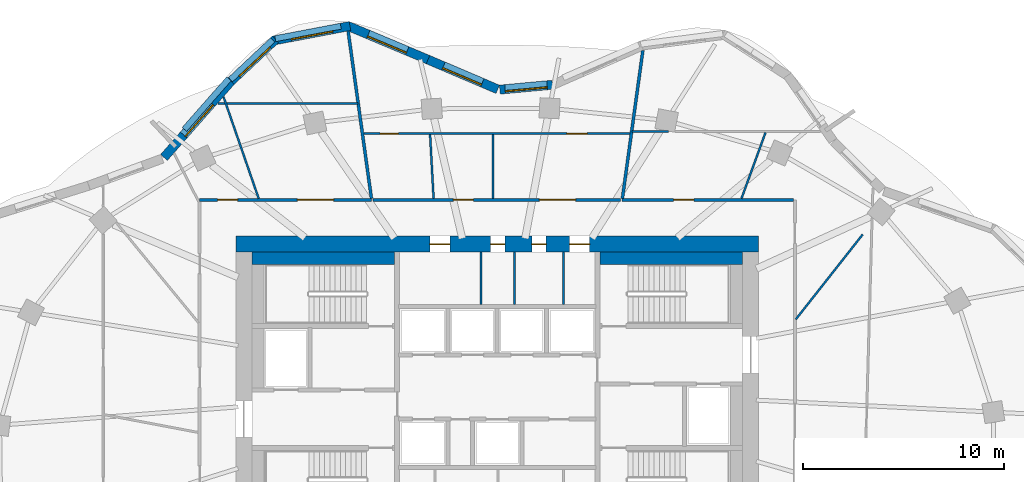
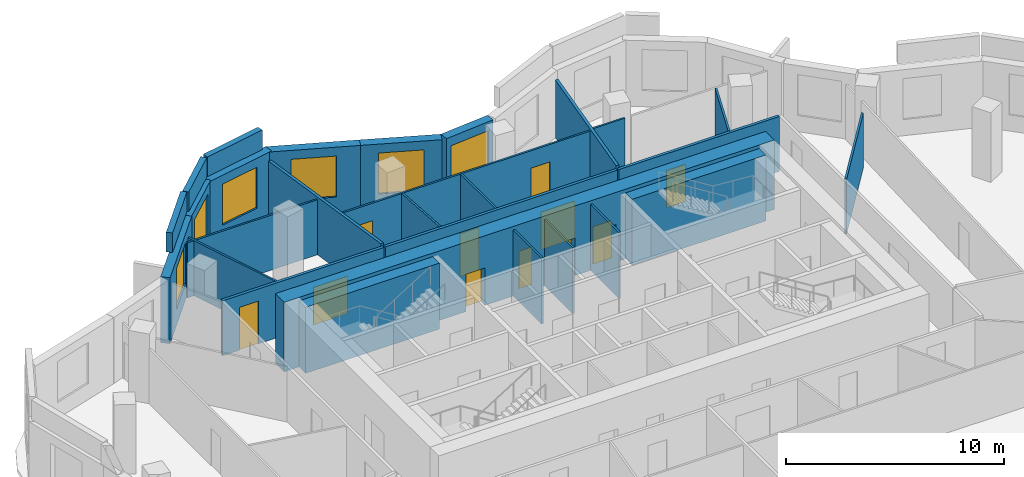
# One storey, part 7 of 9: 28 walls, 11 doors, 6 windows, 17 openings.
"""IFC4 building model written with IfcOpenShell, lengths in metres."""

from ifc_helpers import new_model, si_unit, direction, frame, frame_2d, origin, place, context, subcontext, project, spatial, rectangle, extrude, material, layer, layer_set, type_object, element, fill, save


model = new_model("IFC4")

# Units and contexts
model_context = context("Model", 3, precision=1e-05, world=origin(), true_north=direction((0.0, 1.0)))
body_context = subcontext(model_context, "Body", "Model", "MODEL_VIEW")
ifc_project = project(units=[si_unit("LENGTHUNIT", "METRE"), si_unit("AREAUNIT", "SQUARE_METRE"), si_unit("VOLUMEUNIT", "CUBIC_METRE"), si_unit("PLANEANGLEUNIT", "RADIAN"), si_unit("MASSUNIT", "GRAM", prefix="KILO")], contexts=[model_context])

# Site, building, storey
site_placement = place(None, origin())
site = spatial("IfcSite", under=ifc_project, at=site_placement, CompositionType="ELEMENT")
building_placement = place(site_placement, origin())
building = spatial("IfcBuilding", under=site, at=building_placement, Name="Rubra Terraces Tower", CompositionType="ELEMENT")
storey_placement = place(building_placement, frame((0.0, 0.0, 221.39990234375)))
storey = spatial("IfcBuildingStorey", under=building, at=storey_placement, Name="L54", CompositionType="ELEMENT", Elevation=221.39990234375)

# Wall, opening, window
ifc_material_1 = material(Name="Brick masonry red-brown", Category="masonry")
ifc_layer_1 = layer(ifc_material_1, 0.449951171875)
ifc_layer_set_1 = layer_set([ifc_layer_1], Name="Brick masonry red-brown")
wall_type_1 = type_object("IfcWallType", Name="Brick facade wall 450", PredefinedType="SOLIDWALL", material=ifc_layer_set_1)
wall_1_placement = place(storey_placement, frame((2.745361328125, 19.52490234375, 0.0), z_axis=(0.0, 0.0, 1.0), x_axis=(-0.995768774275, -0.091894222771, 0.0)))
wall_1 = element("IfcWall", 1, at=wall_1_placement, inside=storey, type_object=wall_type_1, Name="Facade wall L54 bay 10", PredefinedType="SOLIDWALL", context=body_context, shape_type="SweptSolid", body=[
    extrude(rectangle(XDim=2.624755859375, YDim=0.449951171875, at=frame_2d((1.3125, 0.0))), origin(), (0.0, 0.0, 1.0), 3.7001953125),
])
opening_1_placement = place(wall_1_placement, frame((0.262451171875, 0.0, 0.89990234375)))
opening_1 = element("IfcOpeningElement", 2, at=opening_1_placement, cuts=wall_1, Name="Opening W1B", PredefinedType="OPENING", context=body_context, shape_type="SweptSolid", body=[
    extrude(rectangle(XDim=2.10009765625, YDim=2.300048828125, at=frame_2d((1.050048828125, 1.14990234375))), frame((0.0, 0.23486328125, 0.0), z_axis=(0.0, -1.0, 0.0), x_axis=(1.0, 0.0, 0.0)), (0.0, 0.0, 1.0), 0.469970703125),
])
ifc_material_2 = material(Name="Clear glass in aluminium frame", Category="aluminium")
window_type = type_object("IfcWindowType", Name="Fixed deep-set window tall storey 2100 x 2300", PartitioningType="SINGLE_PANEL", PredefinedType="WINDOW", material=ifc_material_2)
window_1_placement = place(opening_1_placement, origin())
window_1 = element("IfcWindow", 3, at=window_1_placement, inside=storey, type_object=window_type, Name="Window L54 bay 10", OverallHeight=2.300048828125, OverallWidth=2.10009765625, PartitioningType="SINGLE_PANEL", PredefinedType="WINDOW", context=body_context, shape_type="SweptSolid", body=[
    extrude(rectangle(XDim=2.10009765625, YDim=2.300048828125, at=frame_2d((1.050048828125, 1.14990234375))), frame((0.0, 0.135009765625, 0.0), z_axis=(0.0, -1.0, 0.0), x_axis=(1.0, 0.0, 0.0)), (0.0, 0.0, 1.0), 0.06005859375),
])
fill(opening_1, window_1)

wall_2_placement = place(storey_placement, frame((0.0263671875, 19.29931640625, 0.0), z_axis=(0.0, 0.0, 1.0), x_axis=(-0.920040408927, 0.391823488245, 0.0)))
wall_2 = element("IfcWall", 4, at=wall_2_placement, inside=storey, type_object=wall_type_1, Name="Facade wall L54 bay 11", PredefinedType="SOLIDWALL", context=body_context, shape_type="SweptSolid", body=[
    extrude(rectangle(XDim=3.769775390625, YDim=0.449951171875, at=frame_2d((1.884765625, 0.0))), origin(), (0.0, 0.0, 1.0), 3.7001953125),
])
opening_2_placement = place(wall_2_placement, frame((0.8349609375, 0.0, 0.89990234375)))
opening_2 = element("IfcOpeningElement", 5, at=opening_2_placement, cuts=wall_2, Name="Opening W1B", PredefinedType="OPENING", context=body_context, shape_type="SweptSolid", body=[
    extrude(rectangle(XDim=2.10009765625, YDim=2.300048828125, at=frame_2d((1.050048828125, 1.14990234375))), frame((0.0, 0.23486328125, 0.0), z_axis=(0.0, -1.0, 0.0), x_axis=(1.0, 0.0, 0.0)), (0.0, 0.0, 1.0), 0.469970703125),
])
window_2_placement = place(opening_2_placement, origin())
window_2 = element("IfcWindow", 6, at=window_2_placement, inside=storey, type_object=window_type, Name="Window L54 bay 11", OverallHeight=2.300048828125, OverallWidth=2.10009765625, PartitioningType="SINGLE_PANEL", PredefinedType="WINDOW", context=body_context, shape_type="SweptSolid", body=[
    extrude(rectangle(XDim=2.10009765625, YDim=2.300048828125, at=frame_2d((1.050048828125, 1.14990234375))), frame((0.0, 0.135009765625, 0.0), z_axis=(0.0, -1.0, 0.0), x_axis=(1.0, 0.0, 0.0)), (0.0, 0.0, 1.0), 0.06005859375),
])
fill(opening_2, window_2)

wall_3_placement = place(storey_placement, frame((-3.44140625, 20.776123046875, 0.0), z_axis=(0.0, 0.0, 1.0), x_axis=(-0.921988121387, 0.387218160758, 0.0)))
wall_3 = element("IfcWall", 7, at=wall_3_placement, inside=storey, type_object=wall_type_1, Name="Facade wall L54 bay 12", PredefinedType="SOLIDWALL", context=body_context, shape_type="SweptSolid", body=[
    extrude(rectangle(XDim=4.3466796875, YDim=0.449951171875, at=frame_2d((2.17333984375, 0.0))), origin(), (0.0, 0.0, 1.0), 3.7001953125),
])
opening_3_placement = place(wall_3_placement, frame((1.123291015625, 0.0, 0.89990234375)))
opening_3 = element("IfcOpeningElement", 8, at=opening_3_placement, cuts=wall_3, Name="Opening W1B", PredefinedType="OPENING", context=body_context, shape_type="SweptSolid", body=[
    extrude(rectangle(XDim=2.10009765625, YDim=2.300048828125, at=frame_2d((1.050048828125, 1.14990234375))), frame((0.0, 0.23486328125, 0.0), z_axis=(0.0, -1.0, 0.0), x_axis=(1.0, 0.0, 0.0)), (0.0, 0.0, 1.0), 0.469970703125),
])
window_3_placement = place(opening_3_placement, origin())
window_3 = element("IfcWindow", 9, at=window_3_placement, inside=storey, type_object=window_type, Name="Window L54 bay 12", OverallHeight=2.300048828125, OverallWidth=2.10009765625, PartitioningType="SINGLE_PANEL", PredefinedType="WINDOW", context=body_context, shape_type="SweptSolid", body=[
    extrude(rectangle(XDim=2.10009765625, YDim=2.300048828125, at=frame_2d((1.050048828125, 1.14990234375))), frame((0.0, 0.135009765625, 0.0), z_axis=(0.0, -1.0, 0.0), x_axis=(1.0, 0.0, 0.0)), (0.0, 0.0, 1.0), 0.06005859375),
])
fill(opening_3, window_3)

wall_4_placement = place(storey_placement, frame((-7.322998046875, 22.447021484375, 0.0), z_axis=(0.0, 0.0, 1.0), x_axis=(-0.982420993638, -0.18667884524, 0.0)))
wall_4 = element("IfcWall", 10, at=wall_4_placement, inside=storey, type_object=wall_type_1, Name="Facade wall L54 bay 13", PredefinedType="SOLIDWALL", context=body_context, shape_type="SweptSolid", body=[
    extrude(rectangle(XDim=3.88427734375, YDim=0.449951171875, at=frame_2d((1.942138671875, 0.0))), origin(), (0.0, 0.0, 1.0), 3.7001953125),
])
opening_4_placement = place(wall_4_placement, frame((0.89208984375, 0.0, 0.89990234375)))
opening_4 = element("IfcOpeningElement", 11, at=opening_4_placement, cuts=wall_4, Name="Opening W1B", PredefinedType="OPENING", context=body_context, shape_type="SweptSolid", body=[
    extrude(rectangle(XDim=2.10009765625, YDim=2.300048828125, at=frame_2d((1.050048828125, 1.14990234375))), frame((0.0, 0.23486328125, 0.0), z_axis=(0.0, -1.0, 0.0), x_axis=(1.0, 0.0, 0.0)), (0.0, 0.0, 1.0), 0.469970703125),
])
window_4_placement = place(opening_4_placement, origin())
window_4 = element("IfcWindow", 12, at=window_4_placement, inside=storey, type_object=window_type, Name="Window L54 bay 13", OverallHeight=2.300048828125, OverallWidth=2.10009765625, PartitioningType="SINGLE_PANEL", PredefinedType="WINDOW", context=body_context, shape_type="SweptSolid", body=[
    extrude(rectangle(XDim=2.10009765625, YDim=2.300048828125, at=frame_2d((1.050048828125, 1.14990234375))), frame((0.0, 0.135009765625, 0.0), z_axis=(0.0, -1.0, 0.0), x_axis=(1.0, 0.0, 0.0)), (0.0, 0.0, 1.0), 0.06005859375),
])
fill(opening_4, window_4)

wall_5_placement = place(storey_placement, frame((-11.027099609375, 21.779052734375, 0.0), z_axis=(0.0, 0.0, 1.0), x_axis=(-0.728871214251, -0.684650825631, 0.0)))
wall_5 = element("IfcWall", 13, at=wall_5_placement, inside=storey, type_object=wall_type_1, Name="Facade wall L54 bay 14", PredefinedType="SOLIDWALL", context=body_context, shape_type="SweptSolid", body=[
    extrude(rectangle(XDim=3.031005859375, YDim=0.449951171875, at=frame_2d((1.515625, 0.0))), origin(), (0.0, 0.0, 1.0), 3.7001953125),
])
opening_5_placement = place(wall_5_placement, frame((0.465576171875, 0.0, 0.89990234375)))
opening_5 = element("IfcOpeningElement", 14, at=opening_5_placement, cuts=wall_5, Name="Opening W1B", PredefinedType="OPENING", context=body_context, shape_type="SweptSolid", body=[
    extrude(rectangle(XDim=2.10009765625, YDim=2.300048828125, at=frame_2d((1.050048828125, 1.14990234375))), frame((0.0, 0.23486328125, 0.0), z_axis=(0.0, -1.0, 0.0), x_axis=(1.0, 0.0, 0.0)), (0.0, 0.0, 1.0), 0.469970703125),
])
window_5_placement = place(opening_5_placement, origin())
window_5 = element("IfcWindow", 15, at=window_5_placement, inside=storey, type_object=window_type, Name="Window L54 bay 14", OverallHeight=2.300048828125, OverallWidth=2.10009765625, PartitioningType="SINGLE_PANEL", PredefinedType="WINDOW", context=body_context, shape_type="SweptSolid", body=[
    extrude(rectangle(XDim=2.10009765625, YDim=2.300048828125, at=frame_2d((1.050048828125, 1.14990234375))), frame((0.0, 0.135009765625, 0.0), z_axis=(0.0, -1.0, 0.0), x_axis=(1.0, 0.0, 0.0)), (0.0, 0.0, 1.0), 0.06005859375),
])
fill(opening_5, window_5)

wall_6_placement = place(storey_placement, frame((-13.221435546875, 19.71923828125, 0.0), z_axis=(0.0, 0.0, 1.0), x_axis=(-0.660424908916, -0.750892095899, 0.0)))
wall_6 = element("IfcWall", 16, at=wall_6_placement, inside=storey, type_object=wall_type_1, Name="Facade wall L54 bay 15", PredefinedType="SOLIDWALL", context=body_context, shape_type="SweptSolid", body=[
    extrude(rectangle(XDim=5.07080078125, YDim=0.449951171875, at=frame_2d((2.535400390625, 0.0))), origin(), (0.0, 0.0, 1.0), 3.7001953125),
])
opening_6_placement = place(wall_6_placement, frame((1.4853515625, 0.0, 0.89990234375)))
opening_6 = element("IfcOpeningElement", 17, at=opening_6_placement, cuts=wall_6, Name="Opening W1B", PredefinedType="OPENING", context=body_context, shape_type="SweptSolid", body=[
    extrude(rectangle(XDim=2.10009765625, YDim=2.300048828125, at=frame_2d((1.050048828125, 1.14990234375))), frame((0.0, 0.23486328125, 0.0), z_axis=(0.0, -1.0, 0.0), x_axis=(1.0, 0.0, 0.0)), (0.0, 0.0, 1.0), 0.469970703125),
])
window_6_placement = place(opening_6_placement, origin())
window_6 = element("IfcWindow", 18, at=window_6_placement, inside=storey, type_object=window_type, Name="Window L54 bay 15", OverallHeight=2.300048828125, OverallWidth=2.10009765625, PartitioningType="SINGLE_PANEL", PredefinedType="WINDOW", context=body_context, shape_type="SweptSolid", body=[
    extrude(rectangle(XDim=2.10009765625, YDim=2.300048828125, at=frame_2d((1.050048828125, 1.14990234375))), frame((0.0, 0.135009765625, 0.0), z_axis=(0.0, -1.0, 0.0), x_axis=(1.0, 0.0, 0.0)), (0.0, 0.0, 1.0), 0.06005859375),
])
fill(opening_6, window_6)

# Walls
ifc_layer_2 = layer(ifc_material_1, 0.300048828125)
ifc_layer_set_2 = layer_set([ifc_layer_2], Name="Brick masonry red-brown")
wall_type_2 = type_object("IfcWallType", Name="Brick parapet 300", PredefinedType="PARAPET", material=ifc_layer_set_2)
wall_7_placement = place(storey_placement, frame((-7.777587890625, 22.43701171875, 3.900146484375), z_axis=(0.0, 0.0, 1.0), x_axis=(-0.98241446716, -0.186713188382, 0.0)))
element("IfcWall", 19, at=wall_7_placement, inside=storey, type_object=wall_type_2, Name="Parapet L54 bay 13", PredefinedType="PARAPET", context=body_context, shape_type="SweptSolid", body=[
    extrude(rectangle(XDim=3.318603515625, YDim=0.300048828125, at=frame_2d((1.6591796875, 0.0))), origin(), (0.0, 0.0, 1.0), 1.099853515625),
])
wall_8_placement = place(storey_placement, frame((-11.163818359375, 21.75341796875, 3.900146484375), z_axis=(0.0, 0.0, 1.0), x_axis=(-0.72886475222, -0.684657704967, 0.0)))
element("IfcWall", 20, at=wall_8_placement, inside=storey, type_object=wall_type_2, Name="Parapet L54 bay 14", PredefinedType="PARAPET", context=body_context, shape_type="SweptSolid", body=[
    extrude(rectangle(XDim=2.877197265625, YDim=0.300048828125, at=frame_2d((1.4384765625, 0.0))), origin(), (0.0, 0.0, 1.0), 1.099853515625),
])
wall_9_placement = place(storey_placement, frame((-13.338623046875, 19.822265625, 3.900146484375), z_axis=(0.0, 0.0, 1.0), x_axis=(-0.660445690116, -0.7508738179, 0.0)))
element("IfcWall", 21, at=wall_9_placement, inside=storey, type_object=wall_type_2, Name="Parapet L54 bay 15", PredefinedType="PARAPET", context=body_context, shape_type="SweptSolid", body=[
    extrude(rectangle(XDim=3.353271484375, YDim=0.300048828125, at=frame_2d((1.6767578125, 0.0))), origin(), (0.0, 0.0, 1.0), 1.099853515625),
])

# Wall, openings, doors
ifc_material_3 = material(Name="Concrete C50", Category="concrete")
ifc_layer_3 = layer(ifc_material_3, 0.800048828125)
ifc_layer_set_3 = layer_set([ifc_layer_3], Name="Concrete C50")
wall_type_3 = type_object("IfcWallType", Name="CORE WALL 800 C50", PredefinedType="SHEAR", material=ifc_layer_set_3)
wall_10_placement = place(storey_placement, frame((-13.0, 11.60009765625, 0.0), z_axis=(0.0, 0.0, 1.0), x_axis=(1.0, 0.0, 0.0)))
wall_10 = element("IfcWall", 22, at=wall_10_placement, inside=storey, type_object=wall_type_3, Name="CORE WALL N L54", PredefinedType="SHEAR", context=body_context, shape_type="SweptSolid", body=[
    extrude(rectangle(XDim=26.0, YDim=0.800048828125, at=frame_2d((13.0, 0.0))), origin(), (0.0, 0.0, 1.0), 3.900146484375),
])
opening_7_placement = place(wall_10_placement, frame((9.64990234375, 0.0, 0.0)))
opening_7 = element("IfcOpeningElement", 23, at=opening_7_placement, cuts=wall_10, Name="Opening L54.C25", PredefinedType="OPENING", context=body_context, shape_type="SweptSolid", body=[
    extrude(rectangle(XDim=1.0, YDim=2.10009765625, at=frame_2d((0.5, 1.050048828125))), frame((0.0, 0.409912109375, 0.0), z_axis=(0.0, -1.0, 0.0), x_axis=(1.0, 0.0, 0.0)), (0.0, 0.0, 1.0), 0.820068359375),
])
opening_8_placement = place(wall_10_placement, frame((12.675048828125, 0.0, 0.0)))
opening_8 = element("IfcOpeningElement", 24, at=opening_8_placement, cuts=wall_10, Name="Opening L54.C26", PredefinedType="OPENING", context=body_context, shape_type="SweptSolid", body=[
    extrude(rectangle(XDim=0.699951171875, YDim=2.10009765625, at=frame_2d((0.35009765625, 1.050048828125))), frame((0.0, 0.409912109375, 0.0), z_axis=(0.0, -1.0, 0.0), x_axis=(1.0, 0.0, 0.0)), (0.0, 0.0, 1.0), 0.820068359375),
])
opening_9_placement = place(wall_10_placement, frame((14.72509765625, 0.0, 0.0)))
opening_9 = element("IfcOpeningElement", 25, at=opening_9_placement, cuts=wall_10, Name="Opening L54.C27", PredefinedType="OPENING", context=body_context, shape_type="SweptSolid", body=[
    extrude(rectangle(XDim=0.699951171875, YDim=2.10009765625, at=frame_2d((0.35009765625, 1.050048828125))), frame((0.0, 0.409912109375, 0.0), z_axis=(0.0, -1.0, 0.0), x_axis=(1.0, 0.0, 0.0)), (0.0, 0.0, 1.0), 0.820068359375),
])
opening_10_placement = place(wall_10_placement, frame((16.60009765625, 0.0, 0.0)))
opening_10 = element("IfcOpeningElement", 26, at=opening_10_placement, cuts=wall_10, Name="Opening L54.C28", PredefinedType="OPENING", context=body_context, shape_type="SweptSolid", body=[
    extrude(rectangle(XDim=1.0, YDim=2.10009765625, at=frame_2d((0.5, 1.050048828125))), frame((0.0, 0.409912109375, 0.0), z_axis=(0.0, -1.0, 0.0), x_axis=(1.0, 0.0, 0.0)), (0.0, 0.0, 1.0), 0.820068359375),
])
ifc_material_4 = material(Name="Painted steel", Category="steel")
door_type_1 = type_object("IfcDoorType", Name="Fire door 1000x2100 single", OperationType="NOTDEFINED", PredefinedType="DOOR", material=ifc_material_4)
door_1_placement = place(opening_7_placement, origin())
door_1 = element("IfcDoor", 27, at=door_1_placement, inside=storey, type_object=door_type_1, Name="Tea point door", OperationType="SINGLE_SWING_LEFT", OverallHeight=2.10009765625, OverallWidth=1.0, PredefinedType="DOOR", context=body_context, shape_type="SweptSolid", body=[
    extrude(rectangle(XDim=1.0, YDim=2.10009765625, at=frame_2d((0.5, 1.050048828125))), frame((0.0, 0.02490234375, 0.0), z_axis=(0.0, -1.0, 0.0), x_axis=(1.0, 0.0, 0.0)), (0.0, 0.0, 1.0), 0.050048828125),
])
fill(opening_7, door_1)
door_2_placement = place(opening_10_placement, origin())
door_2 = element("IfcDoor", 28, at=door_2_placement, inside=storey, type_object=door_type_1, Name="General store door", OperationType="SINGLE_SWING_RIGHT", OverallHeight=2.10009765625, OverallWidth=1.0, PredefinedType="DOOR", context=body_context, shape_type="SweptSolid", body=[
    extrude(rectangle(XDim=1.0, YDim=2.10009765625, at=frame_2d((0.5, 1.050048828125))), frame((0.0, 0.02490234375, 0.0), z_axis=(0.0, -1.0, 0.0), x_axis=(1.0, 0.0, 0.0)), (0.0, 0.0, 1.0), 0.050048828125),
])
fill(opening_10, door_2)
door_type_2 = type_object("IfcDoorType", Name="Riser access door 700x2100 single", OperationType="NOTDEFINED", PredefinedType="DOOR", material=ifc_material_4)
door_3_placement = place(opening_8_placement, origin())
door_3 = element("IfcDoor", 29, at=door_3_placement, inside=storey, type_object=door_type_2, Name="Electrical riser room door", OperationType="SINGLE_SWING_RIGHT", OverallHeight=2.10009765625, OverallWidth=0.699951171875, PredefinedType="DOOR", context=body_context, shape_type="SweptSolid", body=[
    extrude(rectangle(XDim=0.699951171875, YDim=2.10009765625, at=frame_2d((0.35009765625, 1.050048828125))), frame((0.0, 0.02490234375, 0.0), z_axis=(0.0, -1.0, 0.0), x_axis=(1.0, 0.0, 0.0)), (0.0, 0.0, 1.0), 0.050048828125),
])
fill(opening_8, door_3)
door_4_placement = place(opening_9_placement, origin())
door_4 = element("IfcDoor", 30, at=door_4_placement, inside=storey, type_object=door_type_2, Name="Telecoms room door", OperationType="SINGLE_SWING_LEFT", OverallHeight=2.10009765625, OverallWidth=0.699951171875, PredefinedType="DOOR", context=body_context, shape_type="SweptSolid", body=[
    extrude(rectangle(XDim=0.699951171875, YDim=2.10009765625, at=frame_2d((0.35009765625, 1.050048828125))), frame((0.0, 0.02490234375, 0.0), z_axis=(0.0, -1.0, 0.0), x_axis=(1.0, 0.0, 0.0)), (0.0, 0.0, 1.0), 0.050048828125),
])
fill(opening_9, door_4)

ifc_material_5 = material(Name="Plasterboard on steel stud, mineral wool infill", Category="steel")
ifc_layer_4 = layer(ifc_material_5, 0.14990234375)
ifc_layer_set_4 = layer_set([ifc_layer_4], Name="Plasterboard on steel stud, mineral wool infill")
wall_type_4 = type_object("IfcWallType", Name="CORRIDOR PARTITION 150", PredefinedType="PARTITIONING", material=ifc_layer_set_4)
wall_11_placement = place(storey_placement, frame((-6.243896484375, 13.800048828125, 0.0), z_axis=(0.0, 0.0, 1.0), x_axis=(-1.0, 0.0, 0.0)))
wall_11 = element("IfcWall", 31, at=wall_11_placement, inside=storey, type_object=wall_type_4, Name="PARTITION", PredefinedType="PARTITIONING", context=body_context, shape_type="SweptSolid", body=[
    extrude(rectangle(XDim=8.55615234375, YDim=0.14990234375, at=frame_2d((4.278076171875, 0.0))), origin(), (0.0, 0.0, 1.0), 3.083984375),
])
opening_11_placement = place(wall_11_placement, frame((1.89697265625, 0.0, 0.0)))
opening_11 = element("IfcOpeningElement", 32, at=opening_11_placement, cuts=wall_11, Name="Opening 54-101", PredefinedType="OPENING", context=body_context, shape_type="SweptSolid", body=[
    extrude(rectangle(XDim=1.800048828125, YDim=2.10009765625, at=frame_2d((0.89990234375, 1.050048828125))), frame((0.0, 0.0849609375, 0.0), z_axis=(0.0, -1.0, 0.0), x_axis=(1.0, 0.0, 0.0)), (0.0, 0.0, 1.0), 0.169921875),
])
opening_12_placement = place(wall_11_placement, frame((6.660888671875, 0.0, 0.0)))
opening_12 = element("IfcOpeningElement", 33, at=opening_12_placement, cuts=wall_11, Name="Opening 54-102", PredefinedType="OPENING", context=body_context, shape_type="SweptSolid", body=[
    extrude(rectangle(XDim=1.0, YDim=2.39990234375, at=frame_2d((0.5, 1.199951171875))), frame((0.0, 0.0849609375, 0.0), z_axis=(0.0, -1.0, 0.0), x_axis=(1.0, 0.0, 0.0)), (0.0, 0.0, 1.0), 0.169921875),
])
ifc_material_6 = material(Name="Glazed aluminium meeting door leaf", Category="aluminium")
door_type_3 = type_object("IfcDoorType", Name="MEETING ROOM GLAZED DOOR 1000 X 2400", OperationType="SINGLE_SWING_LEFT", PredefinedType="DOOR", material=ifc_material_6)
door_5_placement = place(opening_12_placement, origin())
door_5 = element("IfcDoor", 34, at=door_5_placement, inside=storey, type_object=door_type_3, Name="DOOR 54-102", OperationType="SINGLE_SWING_RIGHT", OverallHeight=2.39990234375, OverallWidth=1.0, PredefinedType="DOOR", context=body_context, shape_type="SweptSolid", body=[
    extrude(rectangle(XDim=1.0, YDim=2.39990234375, at=frame_2d((0.5, 1.199951171875))), frame((0.0, 0.02490234375, 0.0), z_axis=(0.0, -1.0, 0.0), x_axis=(1.0, 0.0, 0.0)), (0.0, 0.0, 1.0), 0.050048828125),
])
fill(opening_12, door_5)
ifc_material_7 = material(Name="Painted timber door leaf, double", Category="wood")
door_type_4 = type_object("IfcDoorType", Name="ROOM DOUBLE DOOR 1800 X 2100", OperationType="DOUBLE_DOOR_SINGLE_SWING", PredefinedType="DOOR", material=ifc_material_7)
door_6_placement = place(opening_11_placement, origin())
door_6 = element("IfcDoor", 35, at=door_6_placement, inside=storey, type_object=door_type_4, Name="DOOR 54-101", OperationType="DOUBLE_DOOR_SINGLE_SWING", OverallHeight=2.10009765625, OverallWidth=1.800048828125, PredefinedType="DOOR", context=body_context, shape_type="SweptSolid", body=[
    extrude(rectangle(XDim=1.800048828125, YDim=2.10009765625, at=frame_2d((0.89990234375, 1.050048828125))), frame((0.0, 0.02490234375, 0.0), z_axis=(0.0, -1.0, 0.0), x_axis=(1.0, 0.0, 0.0)), (0.0, 0.0, 1.0), 0.050048828125),
])
fill(opening_11, door_6)

# Wall, opening, door
wall_12_placement = place(storey_placement, frame((14.72509765625, 13.800048828125, 0.0), z_axis=(0.0, 0.0, 1.0), x_axis=(-1.0, 0.0, 0.0)))
wall_12 = element("IfcWall", 36, at=wall_12_placement, inside=storey, type_object=wall_type_4, Name="PARTITION", PredefinedType="PARTITIONING", context=body_context, shape_type="SweptSolid", body=[
    extrude(rectangle(XDim=8.510986328125, YDim=0.14990234375, at=frame_2d((4.25537109375, 0.0))), origin(), (0.0, 0.0, 1.0), 3.083984375),
])
opening_13_placement = place(wall_12_placement, frame((4.949951171875, 0.0, 0.0)))
opening_13 = element("IfcOpeningElement", 37, at=opening_13_placement, cuts=wall_12, Name="Opening 54-126", PredefinedType="OPENING", context=body_context, shape_type="SweptSolid", body=[
    extrude(rectangle(XDim=1.0, YDim=2.10009765625, at=frame_2d((0.5, 1.050048828125))), frame((0.0, 0.0849609375, 0.0), z_axis=(0.0, -1.0, 0.0), x_axis=(1.0, 0.0, 0.0)), (0.0, 0.0, 1.0), 0.169921875),
])
ifc_material_8 = material(Name="Painted timber door leaf", Category="wood")
door_type_5 = type_object("IfcDoorType", Name="ROOM DOOR 1000 X 2100", OperationType="SINGLE_SWING_LEFT", PredefinedType="DOOR", material=ifc_material_8)
door_7_placement = place(opening_13_placement, origin())
door_7 = element("IfcDoor", 38, at=door_7_placement, inside=storey, type_object=door_type_5, Name="DOOR 54-126", OperationType="SINGLE_SWING_RIGHT", OverallHeight=2.10009765625, OverallWidth=1.0, PredefinedType="DOOR", context=body_context, shape_type="SweptSolid", body=[
    extrude(rectangle(XDim=1.0, YDim=2.10009765625, at=frame_2d((0.5, 1.050048828125))), frame((0.0, 0.02490234375, 0.0), z_axis=(0.0, -1.0, 0.0), x_axis=(1.0, 0.0, 0.0)), (0.0, 0.0, 1.0), 0.050048828125),
])
fill(opening_13, door_7)

# Wall, openings, doors
wall_13_placement = place(storey_placement, frame((6.138916015625, 13.800048828125, 0.0), z_axis=(0.0, 0.0, 1.0), x_axis=(-1.0, 0.0, 0.0)))
wall_13 = element("IfcWall", 39, at=wall_13_placement, inside=storey, type_object=wall_type_4, Name="PARTITION", PredefinedType="PARTITIONING", context=body_context, shape_type="SweptSolid", body=[
    extrude(rectangle(XDim=12.307861328125, YDim=0.14990234375, at=frame_2d((6.15380859375, 0.0))), origin(), (0.0, 0.0, 1.0), 3.083984375),
])
opening_14_placement = place(wall_13_placement, frame((2.238037109375, 0.0, 0.0)))
opening_14 = element("IfcOpeningElement", 40, at=opening_14_placement, cuts=wall_13, Name="Opening 54-117", PredefinedType="OPENING", context=body_context, shape_type="SweptSolid", body=[
    extrude(rectangle(XDim=1.800048828125, YDim=2.10009765625, at=frame_2d((0.89990234375, 1.050048828125))), frame((0.0, 0.0849609375, 0.0), z_axis=(0.0, -1.0, 0.0), x_axis=(1.0, 0.0, 0.0)), (0.0, 0.0, 1.0), 0.169921875),
])
opening_15_placement = place(wall_13_placement, frame((7.324951171875, 0.0, 0.0)))
opening_15 = element("IfcOpeningElement", 41, at=opening_15_placement, cuts=wall_13, Name="Opening 54-119", PredefinedType="OPENING", context=body_context, shape_type="SweptSolid", body=[
    extrude(rectangle(XDim=1.0, YDim=2.39990234375, at=frame_2d((0.5, 1.199951171875))), frame((0.0, 0.0849609375, 0.0), z_axis=(0.0, -1.0, 0.0), x_axis=(1.0, 0.0, 0.0)), (0.0, 0.0, 1.0), 0.169921875),
])
door_8_placement = place(opening_15_placement, origin())
door_8 = element("IfcDoor", 42, at=door_8_placement, inside=storey, type_object=door_type_3, Name="DOOR 54-119", OperationType="SINGLE_SWING_RIGHT", OverallHeight=2.39990234375, OverallWidth=1.0, PredefinedType="DOOR", context=body_context, shape_type="SweptSolid", body=[
    extrude(rectangle(XDim=1.0, YDim=2.39990234375, at=frame_2d((0.5, 1.199951171875))), frame((0.0, 0.02490234375, 0.0), z_axis=(0.0, -1.0, 0.0), x_axis=(1.0, 0.0, 0.0)), (0.0, 0.0, 1.0), 0.050048828125),
])
fill(opening_15, door_8)
door_9_placement = place(opening_14_placement, origin())
door_9 = element("IfcDoor", 43, at=door_9_placement, inside=storey, type_object=door_type_4, Name="DOOR 54-117", OperationType="DOUBLE_DOOR_SINGLE_SWING", OverallHeight=2.10009765625, OverallWidth=1.800048828125, PredefinedType="DOOR", context=body_context, shape_type="SweptSolid", body=[
    extrude(rectangle(XDim=1.800048828125, YDim=2.10009765625, at=frame_2d((0.89990234375, 1.050048828125))), frame((0.0, 0.02490234375, 0.0), z_axis=(0.0, -1.0, 0.0), x_axis=(1.0, 0.0, 0.0)), (0.0, 0.0, 1.0), 0.050048828125),
])
fill(opening_14, door_9)

# Walls
ifc_material_9 = material(Name="Concrete C40", Category="concrete")
ifc_layer_5 = layer(ifc_material_9, 0.60009765625)
ifc_layer_set_5 = layer_set([ifc_layer_5], Name="Concrete C40")
wall_type_5 = type_object("IfcWallType", Name="Core lining wall 600 concrete", PredefinedType="SOLIDWALL", material=ifc_layer_set_5)
for number, where, z_axis, x_axis, name in (
    (44, (-12.199951171875, 10.89990234375, 0.0), (0.0, 0.0, 1.0), (1.0, 0.0, 0.0), "CORE LINING WALL L54"),
    (45, (12.199951171875, 10.89990234375, 0.0), (0.0, 0.0, 1.0), (-1.0, 0.0, 0.0), "CORE LINING WALL L54"),
):
    element("IfcWall", number, at=place(storey_placement, frame(where, z_axis=z_axis, x_axis=x_axis)), inside=storey, type_object=wall_type_5, Name=name, PredefinedType="SOLIDWALL", context=body_context, shape_type="SweptSolid", body=[
        extrude(rectangle(XDim=7.099853515625, YDim=0.60009765625, at=frame_2d((3.5498046875, 0.0))), origin(), (0.0, 0.0, 1.0), 3.7001953125),
    ])
ifc_material_10 = material(Name="Plasterboard on steel stud", Category="steel")
ifc_layer_6 = layer(ifc_material_10, 0.10009765625)
ifc_layer_set_6 = layer_set([ifc_layer_6], Name="Plasterboard on steel stud")
wall_type_6 = type_object("IfcWallType", Name="ROOM PARTITION 100", PredefinedType="PARTITIONING", material=ifc_layer_set_6)
wall_14_placement = place(storey_placement, frame((-13.879638671875, 18.60009765625, 0.0), z_axis=(0.0, 0.0, 1.0), x_axis=(1.0, 0.0, 0.0)))
element("IfcWall", 46, at=wall_14_placement, inside=storey, type_object=wall_type_6, Name="PARTITION", PredefinedType="PARTITIONING", context=body_context, shape_type="SweptSolid", body=[
    extrude(rectangle(XDim=6.94677734375, YDim=0.10009765625, at=frame_2d((3.473388671875, 0.0))), origin(), (0.0, 0.0, 1.0), 3.083984375),
])
wall_15_placement = place(storey_placement, frame((-11.861328125, 13.870849609375, 0.0), z_axis=(0.0, 0.0, 1.0), x_axis=(-0.326836144326, 0.945081020211, 0.0)))
element("IfcWall", 47, at=wall_15_placement, inside=storey, type_object=wall_type_6, Name="PARTITION", PredefinedType="PARTITIONING", context=body_context, shape_type="SweptSolid", body=[
    extrude(rectangle(XDim=5.34765625, YDim=0.10009765625, at=frame_2d((2.673828125, 0.0))), origin(), (0.0, 0.0, 1.0), 3.083984375),
])
wall_16_placement = place(storey_placement, frame((6.704345703125, 17.199951171875, 0.0), z_axis=(0.0, 0.0, 1.0), x_axis=(1.0, 0.0, 0.0)))
element("IfcWall", 48, at=wall_16_placement, inside=storey, type_object=wall_type_6, Name="PARTITION", PredefinedType="PARTITIONING", context=body_context, shape_type="SweptSolid", body=[
    extrude(rectangle(XDim=1.81689453125, YDim=0.10009765625, at=frame_2d((0.908447265625, 0.0))), origin(), (0.0, 0.0, 1.0), 3.083984375),
])
wall_17_placement = place(storey_placement, frame((14.846435546875, 7.86328125, 0.0), z_axis=(0.0, 0.0, 1.0), x_axis=(0.619070377388, 0.785335512912, 0.0)))
element("IfcWall", 49, at=wall_17_placement, inside=storey, type_object=wall_type_6, Name="PARTITION", PredefinedType="PARTITIONING", context=body_context, shape_type="SweptSolid", body=[
    extrude(rectangle(XDim=5.366943359375, YDim=0.10009765625, at=frame_2d((2.68359375, 0.0))), origin(), (0.0, 0.0, 1.0), 3.083984375),
])
wall_18_placement = place(storey_placement, frame((12.14501953125, 13.87060546875, 0.0), z_axis=(0.0, 0.0, 1.0), x_axis=(0.34223119797, 0.939615776334, 0.0)))
element("IfcWall", 50, at=wall_18_placement, inside=storey, type_object=wall_type_6, Name="PARTITION", PredefinedType="PARTITIONING", context=body_context, shape_type="SweptSolid", body=[
    extrude(rectangle(XDim=3.493408203125, YDim=0.10009765625, at=frame_2d((1.74658203125, 0.0))), origin(), (0.0, 0.0, 1.0), 3.083984375),
])

# Wall, openings, doors
wall_19_placement = place(storey_placement, frame((-6.68359375, 17.10009765625, 0.0), z_axis=(0.0, 0.0, 1.0), x_axis=(1.0, 0.0, 0.0)))
wall_19 = element("IfcWall", 51, at=wall_19_placement, inside=storey, type_object=wall_type_6, Name="PARTITION", PredefinedType="PARTITIONING", context=body_context, shape_type="SweptSolid", body=[
    extrude(rectangle(XDim=13.333740234375, YDim=0.10009765625, at=frame_2d((6.6669921875, 0.0))), origin(), (0.0, 0.0, 1.0), 3.083984375),
])
opening_16_placement = place(wall_19_placement, frame((10.14990234375, 0.0, 0.0)))
opening_16 = element("IfcOpeningElement", 52, at=opening_16_placement, cuts=wall_19, Name="Opening 54-118", PredefinedType="OPENING", context=body_context, shape_type="SweptSolid", body=[
    extrude(rectangle(XDim=1.0, YDim=2.10009765625, at=frame_2d((0.5, 1.050048828125))), frame((0.0, 0.06005859375, 0.0), z_axis=(0.0, -1.0, 0.0), x_axis=(1.0, 0.0, 0.0)), (0.0, 0.0, 1.0), 0.1201171875),
])
opening_17_placement = place(wall_19_placement, frame((0.863037109375, 0.0, 0.0)))
opening_17 = element("IfcOpeningElement", 53, at=opening_17_placement, cuts=wall_19, Name="Opening 54-120", PredefinedType="OPENING", context=body_context, shape_type="SweptSolid", body=[
    extrude(rectangle(XDim=0.89990234375, YDim=2.10009765625, at=frame_2d((0.449951171875, 1.050048828125))), frame((0.0, 0.06005859375, 0.0), z_axis=(0.0, -1.0, 0.0), x_axis=(1.0, 0.0, 0.0)), (0.0, 0.0, 1.0), 0.1201171875),
])
door_10_placement = place(opening_16_placement, origin())
door_10 = element("IfcDoor", 54, at=door_10_placement, inside=storey, type_object=door_type_5, Name="DOOR 54-118", OperationType="SINGLE_SWING_LEFT", OverallHeight=2.10009765625, OverallWidth=1.0, PredefinedType="DOOR", context=body_context, shape_type="SweptSolid", body=[
    extrude(rectangle(XDim=1.0, YDim=2.10009765625, at=frame_2d((0.5, 1.050048828125))), frame((0.0, 0.02490234375, 0.0), z_axis=(0.0, -1.0, 0.0), x_axis=(1.0, 0.0, 0.0)), (0.0, 0.0, 1.0), 0.050048828125),
])
fill(opening_16, door_10)
door_type_6 = type_object("IfcDoorType", Name="ROOM DOOR 900 X 2100", OperationType="SINGLE_SWING_LEFT", PredefinedType="DOOR", material=ifc_material_8)
door_11_placement = place(opening_17_placement, origin())
door_11 = element("IfcDoor", 55, at=door_11_placement, inside=storey, type_object=door_type_6, Name="DOOR 54-120", OperationType="SINGLE_SWING_LEFT", OverallHeight=2.10009765625, OverallWidth=0.89990234375, PredefinedType="DOOR", context=body_context, shape_type="SweptSolid", body=[
    extrude(rectangle(XDim=0.89990234375, YDim=2.10009765625, at=frame_2d((0.449951171875, 1.050048828125))), frame((0.0, 0.02490234375, 0.0), z_axis=(0.0, -1.0, 0.0), x_axis=(1.0, 0.0, 0.0)), (0.0, 0.0, 1.0), 0.050048828125),
])
fill(opening_17, door_11)

# Walls
wall_20_placement = place(storey_placement, frame((-0.212646484375, 13.875, 0.0), z_axis=(0.0, 0.0, 1.0), x_axis=(-0.002537477413, 0.999996780599, 0.0)))
element("IfcWall", 56, at=wall_20_placement, inside=storey, type_object=wall_type_6, Name="PARTITION", PredefinedType="PARTITIONING", context=body_context, shape_type="SweptSolid", body=[
    extrude(rectangle(XDim=3.175048828125, YDim=0.10009765625, at=frame_2d((1.58740234375, 0.0))), origin(), (0.0, 0.0, 1.0), 3.083984375),
])
wall_21_placement = place(storey_placement, frame((-3.16455078125, 13.875, 0.0), z_axis=(0.0, 0.0, 1.0), x_axis=(-0.054895950594, 0.998492080393, 0.0)))
element("IfcWall", 57, at=wall_21_placement, inside=storey, type_object=wall_type_6, Name="PARTITION", PredefinedType="PARTITIONING", context=body_context, shape_type="SweptSolid", body=[
    extrude(rectangle(XDim=3.179931640625, YDim=0.10009765625, at=frame_2d((1.58984375, 0.0))), origin(), (0.0, 0.0, 1.0), 3.083984375),
])
ifc_layer_7 = layer(ifc_material_10, 0.14990234375)
ifc_layer_set_7 = layer_set([ifc_layer_7], Name="Plasterboard on steel stud")
wall_type_7 = type_object("IfcWallType", Name="ROOM PARTITION 150", PredefinedType="PARTITIONING", material=ifc_layer_set_7)
wall_22_placement = place(storey_placement, frame((-7.41357421875, 22.196044921875, 0.0), z_axis=(0.0, 0.0, 1.0), x_axis=(0.137962708722, -0.990437424072, 0.0)))
element("IfcWall", 58, at=wall_22_placement, inside=storey, type_object=wall_type_7, Name="PARTITION", PredefinedType="PARTITIONING", context=body_context, shape_type="SweptSolid", body=[
    extrude(rectangle(XDim=8.402099609375, YDim=0.14990234375, at=frame_2d((4.201171875, 0.0))), origin(), (0.0, 0.0, 1.0), 3.234130859375),
])
wall_23_placement = place(storey_placement, frame((7.241943359375, 21.23291015625, 0.0), z_axis=(0.0, 0.0, 1.0), x_axis=(-0.136979917761, -0.990573824674, 0.0)))
element("IfcWall", 59, at=wall_23_placement, inside=storey, type_object=wall_type_7, Name="PARTITION", PredefinedType="PARTITIONING", context=body_context, shape_type="SweptSolid", body=[
    extrude(rectangle(XDim=7.4287109375, YDim=0.14990234375, at=frame_2d((3.71435546875, 0.0))), origin(), (0.0, 0.0, 1.0), 3.234130859375),
])
ifc_material_11 = material(Name="Blockwork", Category="masonry")
ifc_layer_8 = layer(ifc_material_11, 0.10009765625)
ifc_layer_set_8 = layer_set([ifc_layer_8], Name="Blockwork")
wall_type_8 = type_object("IfcWallType", Name="Service partition 100 blockwork", PredefinedType="PARTITIONING", material=ifc_layer_set_8)
for number, where, z_axis, x_axis, name in (
    (60, (-0.800048828125, 8.60009765625, 0.0), (0.0, 0.0, 1.0), (0.0, 1.0, 0.0), "SERVICE ROOM PARTITION L54"),
    (61, (0.85009765625, 8.60009765625, 0.0), (0.0, 0.0, 1.0), (0.0, 1.0, 0.0), "SERVICE ROOM PARTITION L54"),
    (62, (3.300048828125, 8.60009765625, 0.0), (0.0, 0.0, 1.0), (0.0, 1.0, 0.0), "SERVICE ROOM PARTITION L54"),
):
    element("IfcWall", number, at=place(storey_placement, frame(where, z_axis=z_axis, x_axis=x_axis)), inside=storey, type_object=wall_type_8, Name=name, PredefinedType="PARTITIONING", context=body_context, shape_type="SweptSolid", body=[
        extrude(rectangle(XDim=2.599853515625, YDim=0.10009765625, at=frame_2d((1.2998046875, 0.0))), origin(), (0.0, 0.0, 1.0), 3.7001953125),
    ])

save(model, "model.ifc")
